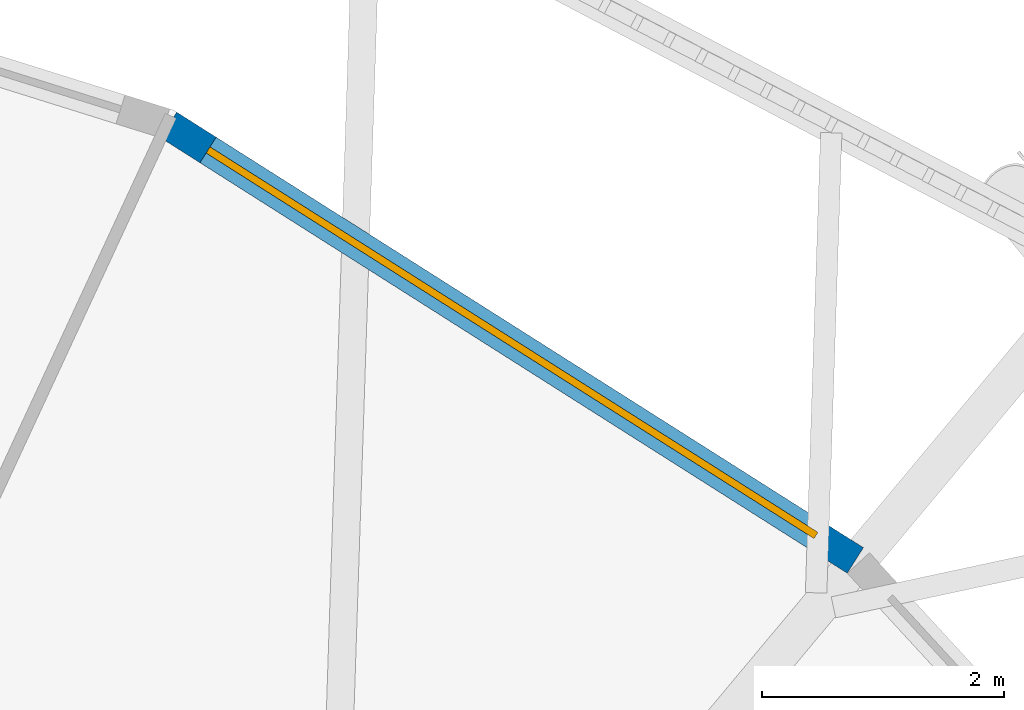
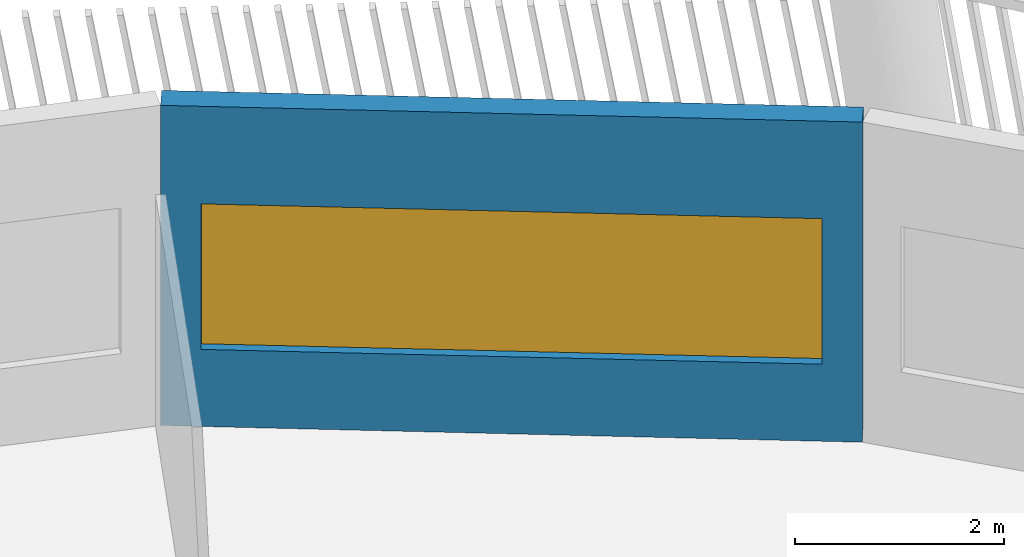
# One storey, part 7 of 21: 1 wall, 1 window, 1 opening.
"""IFC4 building model written with IfcOpenShell, lengths in metres."""

from ifc_helpers import new_model, si_unit, direction, frame, frame_2d, origin, place, context, subcontext, project, spatial, rectangle, extrude, material, layer, layer_set, type_object, element, fill, save


model = new_model("IFC4")

# Units and contexts
model_context = context("Model", 3, precision=1e-05, world=origin(), true_north=direction((0.0, 1.0)))
body_context = subcontext(model_context, "Body", "Model", "MODEL_VIEW")
ifc_project = project(units=[si_unit("LENGTHUNIT", "METRE"), si_unit("AREAUNIT", "SQUARE_METRE"), si_unit("VOLUMEUNIT", "CUBIC_METRE"), si_unit("PLANEANGLEUNIT", "RADIAN"), si_unit("MASSUNIT", "GRAM", prefix="KILO")], contexts=[model_context])

# Site, building, storey
site_placement = place(None, origin())
site = spatial("IfcSite", under=ifc_project, at=site_placement, CompositionType="ELEMENT")
building_placement = place(site_placement, origin())
building = spatial("IfcBuilding", under=site, at=building_placement, Name="Tarsis Ring Headquarters", CompositionType="ELEMENT")
storey_placement = place(building_placement, frame((0.0, 0.0, 278.60009765625)))
storey = spatial("IfcBuildingStorey", under=building, at=storey_placement, Name="L65", CompositionType="ELEMENT", Elevation=278.60009765625)

# Wall, opening, window
ifc_material_1 = material(Name="Terracotta clad insulated panel wall", Category="masonry")
ifc_layer = layer(ifc_material_1, 0.25)
ifc_layer_set = layer_set([ifc_layer], Name="Facade wall terracotta panel 250")
wall_type = type_object("IfcWallType", Name="Facade wall terracotta panel 250", PredefinedType="STANDARD", material=ifc_layer_set)
wall_placement = place(storey_placement, frame((16.575927734375, 19.8642578125, 0.0), z_axis=(0.0, 0.0, 1.0), x_axis=(-0.844506975739, 0.535544552701, 0.0)))
wall = element("IfcWall", 1, at=wall_placement, inside=storey, type_object=wall_type, Name="External wall L65-24", PredefinedType="STANDARD", context=body_context, shape_type="SweptSolid", body=[
    extrude(rectangle(XDim=6.721435546875, YDim=0.25, at=frame_2d((3.36083984375, 0.0))), origin(), (0.0, 0.0, 1.0), 3.739990234375),
])
opening_placement = place(wall_placement, frame((0.3857421875, 0.0, 0.89990234375)))
opening = element("IfcOpeningElement", 2, at=opening_placement, cuts=wall, Name="Opening WN07", PredefinedType="OPENING", context=body_context, shape_type="SweptSolid", body=[
    extrude(rectangle(XDim=5.949951171875, YDim=1.699951171875, at=frame_2d((2.97509765625, 0.85009765625))), frame((0.0, 0.135009765625, 0.0), z_axis=(0.0, -1.0, 0.0), x_axis=(1.0, 0.0, 0.0)), (0.0, 0.0, 1.0), 0.27001953125),
])
ifc_material_2 = material(Name="Aluminium framed double glazing", Category="aluminium")
window_type = type_object("IfcWindowType", Name="Facade window 5950 x 1700", PartitioningType="SINGLE_PANEL", PredefinedType="WINDOW", material=ifc_material_2)
window_placement = place(opening_placement, origin())
window = element("IfcWindow", 3, at=window_placement, inside=storey, type_object=window_type, Name="Window L65-24.1", OverallHeight=1.699951171875, OverallWidth=5.949951171875, PartitioningType="SINGLE_PANEL", PredefinedType="WINDOW", context=body_context, shape_type="SweptSolid", body=[
    extrude(rectangle(XDim=5.949951171875, YDim=1.699951171875, at=frame_2d((2.97509765625, 0.85009765625))), frame((0.0, 0.030029296875, 0.0), z_axis=(0.0, -1.0, 0.0), x_axis=(1.0, 0.0, 0.0)), (0.0, 0.0, 1.0), 0.06005859375),
])
fill(opening, window)

save(model, "model.ifc")
